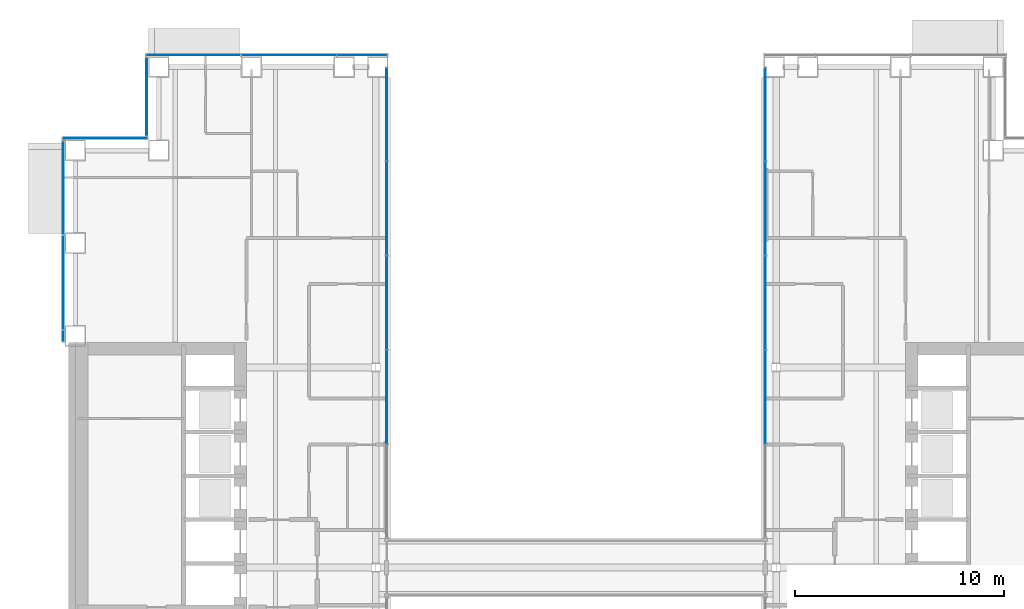
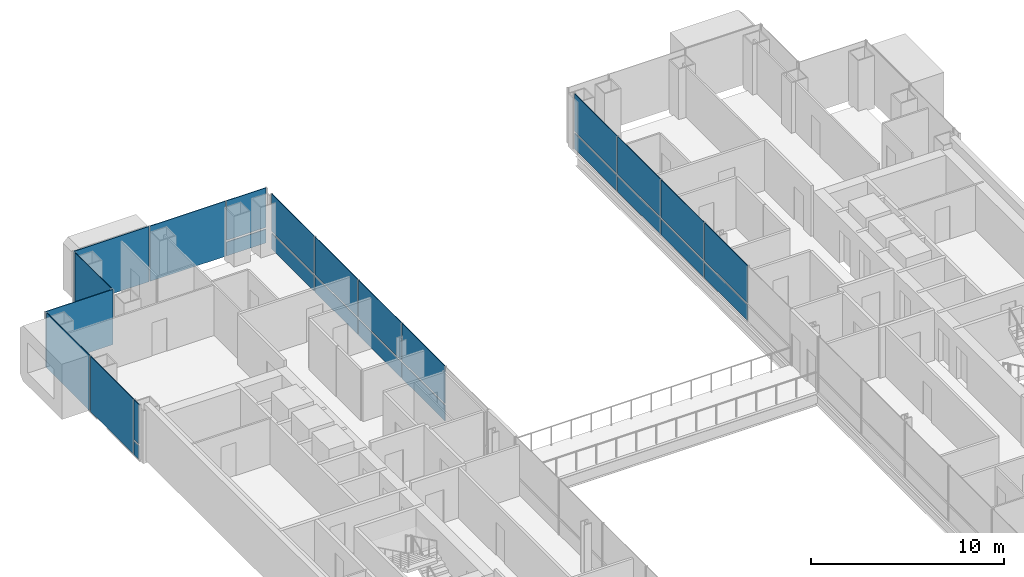
# One storey, part 12 of 21: 26 plates, 6 elements without a shape of their own.
"""IFC4 building model written with IfcOpenShell, lengths in metres."""

from ifc_helpers import new_model, si_unit, direction, frame, origin, origin_2d, place, context, subcontext, project, spatial, rectangle, extrude, material, layer, layer_set, type_object, element, aggregate, save


model = new_model("IFC4")

# Units and contexts
model_context = context("Model", 3, precision=1e-05, world=origin(), true_north=direction((0.0, 1.0)))
body_context = subcontext(model_context, "Body", "Model", "MODEL_VIEW")
ifc_project = project(units=[si_unit("LENGTHUNIT", "METRE"), si_unit("AREAUNIT", "SQUARE_METRE"), si_unit("VOLUMEUNIT", "CUBIC_METRE"), si_unit("PLANEANGLEUNIT", "RADIAN"), si_unit("MASSUNIT", "GRAM", prefix="KILO")], contexts=[model_context])

# Site, building, storey
site_placement = place(None, origin())
site = spatial("IfcSite", under=ifc_project, at=site_placement, CompositionType="ELEMENT")
building_placement = place(site_placement, origin())
building = spatial("IfcBuilding", under=site, at=building_placement, Name="Cobrizo Arcos Hotel Tower", CompositionType="ELEMENT")
storey_placement = place(building_placement, frame((0.0, 0.0, 81.0)))
storey = spatial("IfcBuildingStorey", under=building, at=storey_placement, Name="L19", CompositionType="ELEMENT", Elevation=81.0)

# Curtain wall, plate
ifc_material_1 = material(Name="Aluminium 6063-T6 anodised bronze", Category="aluminium")
curtain_wall_type_1 = type_object("IfcCurtainWallType", Name="CW-A guest facade", PredefinedType="NOTDEFINED", material=ifc_material_1)
curtain_wall_1_placement = place(storey_placement, origin())
curtain_wall_1 = element("IfcCurtainWall", 1, at=curtain_wall_1_placement, inside=storey, type_object=curtain_wall_type_1, Name="CW-A L19 N face", PredefinedType="NOTDEFINED")
ifc_material_2 = material(Name="Glass clear laminated low-e", Category="glass")
ifc_layer_1 = layer(ifc_material_2, 0.0400390625)
ifc_layer_set_1 = layer_set([ifc_layer_1], Name="CW-A glass panel")
plate_type_1 = type_object("IfcPlateType", Name="CW-A glass panel", PredefinedType="CURTAIN_PANEL", material=ifc_layer_set_1)
plate_1_placement = place(storey_placement, frame((-10.251220703125, 24.574951171875, 0.990234375), z_axis=(0.0, 0.0, 1.0), x_axis=(-1.0, 0.0, 0.0)))
plate_1 = element("IfcPlate", 2, at=plate_1_placement, type_object=plate_type_1, Name="CW-A glass panel 800", PredefinedType="CURTAIN_PANEL", context=body_context, shape_type="SweptSolid", body=[
    extrude(rectangle(XDim=2.38232421875, YDim=0.0400390625, at=origin_2d()), origin(), (0.0, 0.0, 1.0), 2.510009765625),
])

curtain_wall_2_placement = place(storey_placement, origin())
curtain_wall_2 = element("IfcCurtainWall", 3, at=curtain_wall_2_placement, inside=storey, type_object=curtain_wall_type_1, Name="CW-A L19 W face", PredefinedType="NOTDEFINED")
plate_2_placement = place(storey_placement, frame((-24.574951171875, 11.109375, 0.990234375), z_axis=(0.0, 0.0, 1.0), x_axis=(0.0, -1.0, 0.0)))
plate_2 = element("IfcPlate", 4, at=plate_2_placement, type_object=plate_type_1, Name="CW-A glass panel 807", PredefinedType="CURTAIN_PANEL", context=body_context, shape_type="SweptSolid", body=[
    extrude(rectangle(XDim=0.498779296875, YDim=0.0400390625, at=origin_2d()), origin(), (0.0, 0.0, 1.0), 2.510009765625),
])

# Plate
ifc_material_3 = material(Name="Aluminium composite panel pale metal", Category="aluminium")
ifc_layer_2 = layer(ifc_material_3, 0.0400390625)
ifc_layer_set_2 = layer_set([ifc_layer_2], Name="CW-A spandrel panel")
plate_type_2 = type_object("IfcPlateType", Name="CW-A spandrel panel", PredefinedType="CURTAIN_PANEL", material=ifc_layer_set_2)
plate_3_placement = place(storey_placement, frame((-10.251220703125, 24.574951171875, 0.0), z_axis=(0.0, 0.0, 1.0), x_axis=(-1.0, 0.0, 0.0)))
plate_3 = element("IfcPlate", 5, at=plate_3_placement, type_object=plate_type_2, Name="CW-A spandrel panel 800", PredefinedType="CURTAIN_PANEL", context=body_context, shape_type="SweptSolid", body=[
    extrude(rectangle(XDim=2.38232421875, YDim=0.0400390625, at=origin_2d()), origin(), (0.0, 0.0, 1.0), 0.8701171875),
])

plate_4_placement = place(storey_placement, frame((-13.7666015625, 24.574951171875, 0.0), z_axis=(0.0, 0.0, 1.0), x_axis=(-1.0, 0.0, 0.0)))
plate_4 = element("IfcPlate", 6, at=plate_4_placement, type_object=plate_type_2, Name="CW-A spandrel panel 801", PredefinedType="CURTAIN_PANEL", context=body_context, shape_type="SweptSolid", body=[
    extrude(rectangle(XDim=4.52880859375, YDim=0.0400390625, at=origin_2d()), origin(), (0.0, 0.0, 1.0), 3.5),
])

plate_5_placement = place(storey_placement, frame((-18.340576171875, 24.574951171875, 0.0), z_axis=(0.0, 0.0, 1.0), x_axis=(-1.0, 0.0, 0.0)))
plate_5 = element("IfcPlate", 7, at=plate_5_placement, type_object=plate_type_2, Name="CW-A spandrel panel 802", PredefinedType="CURTAIN_PANEL", context=body_context, shape_type="SweptSolid", body=[
    extrude(rectangle(XDim=4.498779296875, YDim=0.0400390625, at=origin_2d()), origin(), (0.0, 0.0, 1.0), 3.5),
])

aggregate(curtain_wall_1, [plate_3, plate_1, plate_4, plate_5])

# Curtain wall, plate
curtain_wall_3_placement = place(storey_placement, origin())
curtain_wall_3 = element("IfcCurtainWall", 8, at=curtain_wall_3_placement, inside=storey, type_object=curtain_wall_type_1, Name="CW-A L19 W face", PredefinedType="NOTDEFINED")
plate_6_placement = place(storey_placement, frame((-20.574951171875, 22.574951171875, 0.0), z_axis=(0.0, 0.0, 1.0), x_axis=(0.0, -1.0, 0.0)))
plate_6 = element("IfcPlate", 9, at=plate_6_placement, type_object=plate_type_2, Name="CW-A spandrel panel 803", PredefinedType="CURTAIN_PANEL", context=body_context, shape_type="SweptSolid", body=[
    extrude(rectangle(XDim=3.72998046875, YDim=0.0400390625, at=origin_2d()), origin(), (0.0, 0.0, 1.0), 3.5),
])
aggregate(curtain_wall_3, [plate_6])

curtain_wall_4_placement = place(storey_placement, origin())
curtain_wall_4 = element("IfcCurtainWall", 10, at=curtain_wall_4_placement, inside=storey, type_object=curtain_wall_type_1, Name="CW-A L19 N face", PredefinedType="NOTDEFINED")
plate_7_placement = place(storey_placement, frame((-22.574951171875, 20.574951171875, 0.0), z_axis=(0.0, 0.0, 1.0), x_axis=(-1.0, 0.0, 0.0)))
plate_7 = element("IfcPlate", 11, at=plate_7_placement, type_object=plate_type_2, Name="CW-A spandrel panel 804", PredefinedType="CURTAIN_PANEL", context=body_context, shape_type="SweptSolid", body=[
    extrude(rectangle(XDim=4.030029296875, YDim=0.0400390625, at=origin_2d()), origin(), (0.0, 0.0, 1.0), 3.5),
])
aggregate(curtain_wall_4, [plate_7])

# Plate
plate_8_placement = place(storey_placement, frame((-24.574951171875, 18.207275390625, 0.0), z_axis=(0.0, 0.0, 1.0), x_axis=(0.0, -1.0, 0.0)))
plate_8 = element("IfcPlate", 12, at=plate_8_placement, type_object=plate_type_2, Name="CW-A spandrel panel 805", PredefinedType="CURTAIN_PANEL", context=body_context, shape_type="SweptSolid", body=[
    extrude(rectangle(XDim=4.465576171875, YDim=0.0400390625, at=origin_2d()), origin(), (0.0, 0.0, 1.0), 3.5),
])

plate_9_placement = place(storey_placement, frame((-24.574951171875, 13.666748046875, 0.0), z_axis=(0.0, 0.0, 1.0), x_axis=(0.0, -1.0, 0.0)))
plate_9 = element("IfcPlate", 13, at=plate_9_placement, type_object=plate_type_2, Name="CW-A spandrel panel 806", PredefinedType="CURTAIN_PANEL", context=body_context, shape_type="SweptSolid", body=[
    extrude(rectangle(XDim=4.49560546875, YDim=0.0400390625, at=origin_2d()), origin(), (0.0, 0.0, 1.0), 3.5),
])

plate_10_placement = place(storey_placement, frame((-24.574951171875, 11.109375, 0.0), z_axis=(0.0, 0.0, 1.0), x_axis=(0.0, -1.0, 0.0)))
plate_10 = element("IfcPlate", 14, at=plate_10_placement, type_object=plate_type_2, Name="CW-A spandrel panel 807", PredefinedType="CURTAIN_PANEL", context=body_context, shape_type="SweptSolid", body=[
    extrude(rectangle(XDim=0.498779296875, YDim=0.0400390625, at=origin_2d()), origin(), (0.0, 0.0, 1.0), 0.8701171875),
])

aggregate(curtain_wall_2, [plate_8, plate_9, plate_10, plate_2])

# Curtain wall, plates
curtain_wall_type_2 = type_object("IfcCurtainWallType", Name="CW-F void screen", PredefinedType="NOTDEFINED", material=ifc_material_1)
curtain_wall_5_placement = place(storey_placement, origin())
curtain_wall_5 = element("IfcCurtainWall", 15, at=curtain_wall_5_placement, inside=storey, type_object=curtain_wall_type_2, Name="CW-F L19 void screen A", PredefinedType="NOTDEFINED")
ifc_layer_3 = layer(ifc_material_2, 0.0400390625)
ifc_layer_set_3 = layer_set([ifc_layer_3], Name="CW-F glass panel")
plate_type_3 = type_object("IfcPlateType", Name="CW-F glass panel", PredefinedType="CURTAIN_PANEL", material=ifc_layer_set_3)
plate_11_placement = place(storey_placement, frame((9.074951171875, 8.179931640625, 0.0), z_axis=(0.0, 0.0, 1.0), x_axis=(0.0, 1.0, 0.0)))
plate_11 = element("IfcPlate", 16, at=plate_11_placement, type_object=plate_type_3, Name="CW-F glass panel 2554", PredefinedType="CURTAIN_PANEL", context=body_context, shape_type="SweptSolid", body=[
    extrude(rectangle(XDim=4.4599609375, YDim=0.0400390625, at=origin_2d()), origin(), (0.0, 0.0, 1.0), 0.989990234375),
])
plate_12_placement = place(storey_placement, frame((9.074951171875, 8.179931640625, 1.10986328125), z_axis=(0.0, 0.0, 1.0), x_axis=(0.0, 1.0, 0.0)))
plate_12 = element("IfcPlate", 17, at=plate_12_placement, type_object=plate_type_3, Name="CW-F glass panel 2554", PredefinedType="CURTAIN_PANEL", context=body_context, shape_type="SweptSolid", body=[
    extrude(rectangle(XDim=4.4599609375, YDim=0.0400390625, at=origin_2d()), origin(), (0.0, 0.0, 1.0), 2.389892578125),
])
plate_13_placement = place(storey_placement, frame((9.074951171875, 12.699951171875, 0.0), z_axis=(0.0, 0.0, 1.0), x_axis=(0.0, 1.0, 0.0)))
plate_13 = element("IfcPlate", 18, at=plate_13_placement, type_object=plate_type_3, Name="CW-F glass panel 2555", PredefinedType="CURTAIN_PANEL", context=body_context, shape_type="SweptSolid", body=[
    extrude(rectangle(XDim=4.4599609375, YDim=0.0400390625, at=origin_2d()), origin(), (0.0, 0.0, 1.0), 0.989990234375),
])
plate_14_placement = place(storey_placement, frame((9.074951171875, 12.699951171875, 1.10986328125), z_axis=(0.0, 0.0, 1.0), x_axis=(0.0, 1.0, 0.0)))
plate_14 = element("IfcPlate", 19, at=plate_14_placement, type_object=plate_type_3, Name="CW-F glass panel 2555", PredefinedType="CURTAIN_PANEL", context=body_context, shape_type="SweptSolid", body=[
    extrude(rectangle(XDim=4.4599609375, YDim=0.0400390625, at=origin_2d()), origin(), (0.0, 0.0, 1.0), 2.389892578125),
])
plate_15_placement = place(storey_placement, frame((9.074951171875, 17.219970703125, 0.0), z_axis=(0.0, 0.0, 1.0), x_axis=(0.0, 1.0, 0.0)))
plate_15 = element("IfcPlate", 20, at=plate_15_placement, type_object=plate_type_3, Name="CW-F glass panel 2556", PredefinedType="CURTAIN_PANEL", context=body_context, shape_type="SweptSolid", body=[
    extrude(rectangle(XDim=4.4599609375, YDim=0.0400390625, at=origin_2d()), origin(), (0.0, 0.0, 1.0), 0.989990234375),
])
plate_16_placement = place(storey_placement, frame((9.074951171875, 17.219970703125, 1.10986328125), z_axis=(0.0, 0.0, 1.0), x_axis=(0.0, 1.0, 0.0)))
plate_16 = element("IfcPlate", 21, at=plate_16_placement, type_object=plate_type_3, Name="CW-F glass panel 2556", PredefinedType="CURTAIN_PANEL", context=body_context, shape_type="SweptSolid", body=[
    extrude(rectangle(XDim=4.4599609375, YDim=0.0400390625, at=origin_2d()), origin(), (0.0, 0.0, 1.0), 2.389892578125),
])
plate_17_placement = place(storey_placement, frame((9.074951171875, 21.72509765625, 0.0), z_axis=(0.0, 0.0, 1.0), x_axis=(0.0, 1.0, 0.0)))
plate_17 = element("IfcPlate", 22, at=plate_17_placement, type_object=plate_type_3, Name="CW-F glass panel 2557", PredefinedType="CURTAIN_PANEL", context=body_context, shape_type="SweptSolid", body=[
    extrude(rectangle(XDim=4.429931640625, YDim=0.0400390625, at=origin_2d()), origin(), (0.0, 0.0, 1.0), 0.989990234375),
])
plate_18_placement = place(storey_placement, frame((9.074951171875, 21.72509765625, 1.10986328125), z_axis=(0.0, 0.0, 1.0), x_axis=(0.0, 1.0, 0.0)))
plate_18 = element("IfcPlate", 23, at=plate_18_placement, type_object=plate_type_3, Name="CW-F glass panel 2557", PredefinedType="CURTAIN_PANEL", context=body_context, shape_type="SweptSolid", body=[
    extrude(rectangle(XDim=4.429931640625, YDim=0.0400390625, at=origin_2d()), origin(), (0.0, 0.0, 1.0), 2.389892578125),
])
aggregate(curtain_wall_5, [plate_11, plate_12, plate_13, plate_14, plate_15, plate_16, plate_17, plate_18])

curtain_wall_6_placement = place(storey_placement, origin())
curtain_wall_6 = element("IfcCurtainWall", 24, at=curtain_wall_6_placement, inside=storey, type_object=curtain_wall_type_2, Name="CW-F L19 void screen A", PredefinedType="NOTDEFINED")
plate_19_placement = place(storey_placement, frame((-9.074951171875, 21.72509765625, 0.0), z_axis=(0.0, 0.0, 1.0), x_axis=(0.0, -1.0, 0.0)))
plate_19 = element("IfcPlate", 25, at=plate_19_placement, type_object=plate_type_3, Name="CW-F glass panel 2558", PredefinedType="CURTAIN_PANEL", context=body_context, shape_type="SweptSolid", body=[
    extrude(rectangle(XDim=4.429931640625, YDim=0.0400390625, at=origin_2d()), origin(), (0.0, 0.0, 1.0), 0.989990234375),
])
plate_20_placement = place(storey_placement, frame((-9.074951171875, 21.72509765625, 1.10986328125), z_axis=(0.0, 0.0, 1.0), x_axis=(0.0, -1.0, 0.0)))
plate_20 = element("IfcPlate", 26, at=plate_20_placement, type_object=plate_type_3, Name="CW-F glass panel 2558", PredefinedType="CURTAIN_PANEL", context=body_context, shape_type="SweptSolid", body=[
    extrude(rectangle(XDim=4.429931640625, YDim=0.0400390625, at=origin_2d()), origin(), (0.0, 0.0, 1.0), 2.389892578125),
])
plate_21_placement = place(storey_placement, frame((-9.074951171875, 17.219970703125, 0.0), z_axis=(0.0, 0.0, 1.0), x_axis=(0.0, -1.0, 0.0)))
plate_21 = element("IfcPlate", 27, at=plate_21_placement, type_object=plate_type_3, Name="CW-F glass panel 2559", PredefinedType="CURTAIN_PANEL", context=body_context, shape_type="SweptSolid", body=[
    extrude(rectangle(XDim=4.4599609375, YDim=0.0400390625, at=origin_2d()), origin(), (0.0, 0.0, 1.0), 0.989990234375),
])
plate_22_placement = place(storey_placement, frame((-9.074951171875, 17.219970703125, 1.10986328125), z_axis=(0.0, 0.0, 1.0), x_axis=(0.0, -1.0, 0.0)))
plate_22 = element("IfcPlate", 28, at=plate_22_placement, type_object=plate_type_3, Name="CW-F glass panel 2559", PredefinedType="CURTAIN_PANEL", context=body_context, shape_type="SweptSolid", body=[
    extrude(rectangle(XDim=4.4599609375, YDim=0.0400390625, at=origin_2d()), origin(), (0.0, 0.0, 1.0), 2.389892578125),
])
plate_23_placement = place(storey_placement, frame((-9.074951171875, 12.699951171875, 0.0), z_axis=(0.0, 0.0, 1.0), x_axis=(0.0, -1.0, 0.0)))
plate_23 = element("IfcPlate", 29, at=plate_23_placement, type_object=plate_type_3, Name="CW-F glass panel 2560", PredefinedType="CURTAIN_PANEL", context=body_context, shape_type="SweptSolid", body=[
    extrude(rectangle(XDim=4.4599609375, YDim=0.0400390625, at=origin_2d()), origin(), (0.0, 0.0, 1.0), 0.989990234375),
])
plate_24_placement = place(storey_placement, frame((-9.074951171875, 12.699951171875, 1.10986328125), z_axis=(0.0, 0.0, 1.0), x_axis=(0.0, -1.0, 0.0)))
plate_24 = element("IfcPlate", 30, at=plate_24_placement, type_object=plate_type_3, Name="CW-F glass panel 2560", PredefinedType="CURTAIN_PANEL", context=body_context, shape_type="SweptSolid", body=[
    extrude(rectangle(XDim=4.4599609375, YDim=0.0400390625, at=origin_2d()), origin(), (0.0, 0.0, 1.0), 2.389892578125),
])
plate_25_placement = place(storey_placement, frame((-9.074951171875, 8.179931640625, 0.0), z_axis=(0.0, 0.0, 1.0), x_axis=(0.0, -1.0, 0.0)))
plate_25 = element("IfcPlate", 31, at=plate_25_placement, type_object=plate_type_3, Name="CW-F glass panel 2561", PredefinedType="CURTAIN_PANEL", context=body_context, shape_type="SweptSolid", body=[
    extrude(rectangle(XDim=4.4599609375, YDim=0.0400390625, at=origin_2d()), origin(), (0.0, 0.0, 1.0), 0.989990234375),
])
plate_26_placement = place(storey_placement, frame((-9.074951171875, 8.179931640625, 1.10986328125), z_axis=(0.0, 0.0, 1.0), x_axis=(0.0, -1.0, 0.0)))
plate_26 = element("IfcPlate", 32, at=plate_26_placement, type_object=plate_type_3, Name="CW-F glass panel 2561", PredefinedType="CURTAIN_PANEL", context=body_context, shape_type="SweptSolid", body=[
    extrude(rectangle(XDim=4.4599609375, YDim=0.0400390625, at=origin_2d()), origin(), (0.0, 0.0, 1.0), 2.389892578125),
])
aggregate(curtain_wall_6, [plate_19, plate_20, plate_21, plate_22, plate_23, plate_24, plate_25, plate_26])

save(model, "model.ifc")
